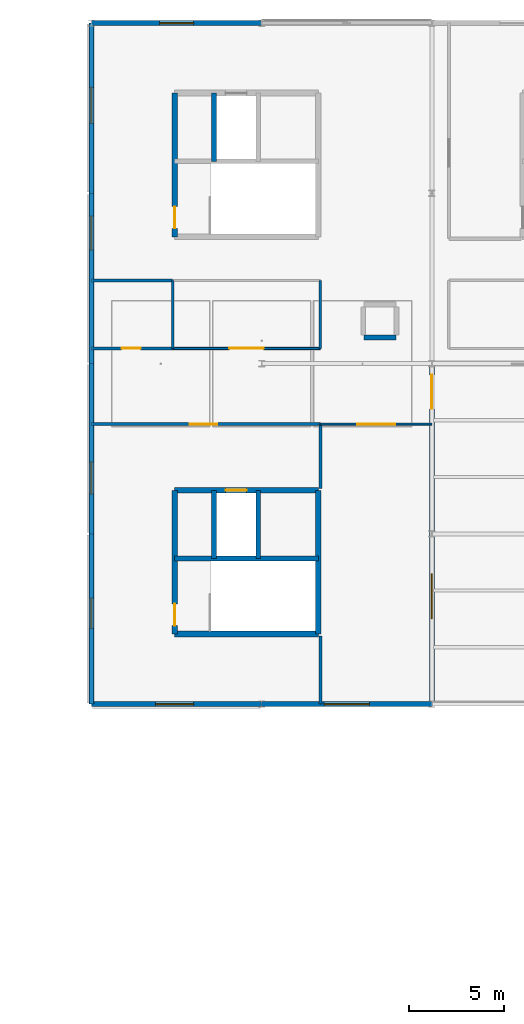
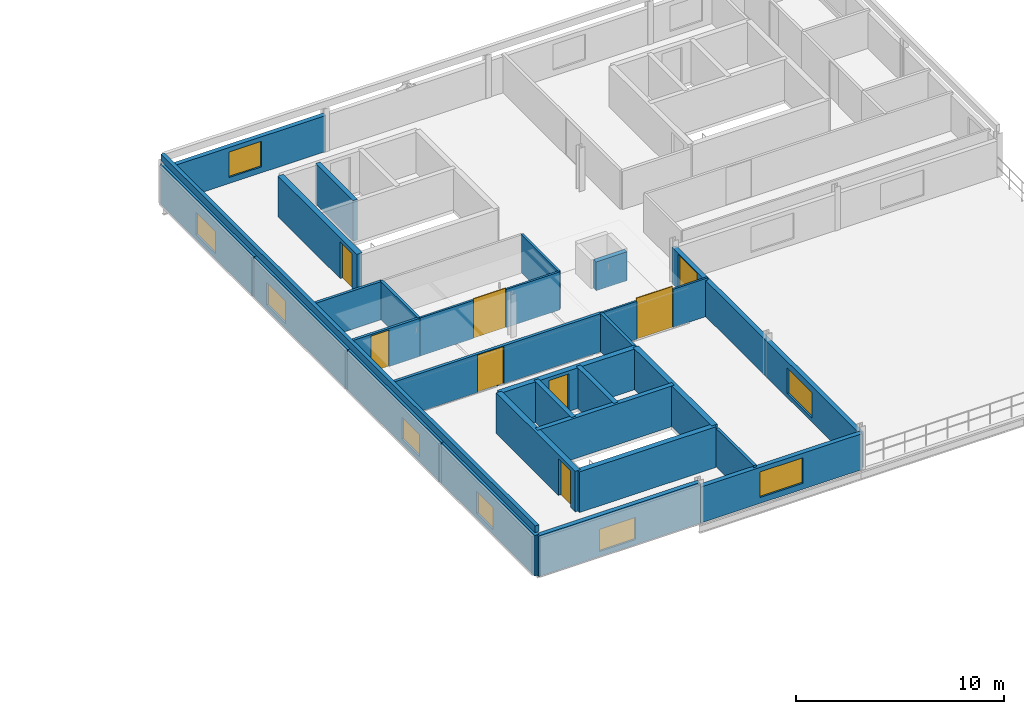
# One storey, part 12 of 16: 28 walls, 8 doors, 8 windows, 16 openings.
"""IFC4 building model written with IfcOpenShell, lengths in metres."""

from ifc_helpers import new_model, si_unit, direction, frame, frame_2d, origin, place, context, subcontext, project, spatial, rectangle, extrude, material, layer, layer_set, type_object, element, fill, save


model = new_model("IFC4")

# Units and contexts
model_context = context("Model", 3, precision=1e-05, world=origin(), true_north=direction((0.0, 1.0)))
body_context = subcontext(model_context, "Body", "Model", "MODEL_VIEW")
ifc_project = project(units=[si_unit("LENGTHUNIT", "METRE"), si_unit("AREAUNIT", "SQUARE_METRE"), si_unit("VOLUMEUNIT", "CUBIC_METRE"), si_unit("PLANEANGLEUNIT", "RADIAN"), si_unit("MASSUNIT", "GRAM", prefix="KILO"), si_unit("THERMODYNAMICTEMPERATUREUNIT", "KELVIN"), si_unit("POWERUNIT", "WATT")], contexts=[model_context])

# Site, building, storey
site_placement = place(None, origin())
site = spatial("IfcSite", under=ifc_project, at=site_placement, CompositionType="ELEMENT")
building_placement = place(site_placement, origin())
building = spatial("IfcBuilding", under=site, at=building_placement, Name="Tallowbark Science Centre", CompositionType="ELEMENT")
storey_placement = place(building_placement, frame((0.0, 0.0, 23.39990234375)))
storey = spatial("IfcBuildingStorey", under=building, at=storey_placement, Name="L05", CompositionType="ELEMENT", Elevation=23.39990234375)

# Wall
ifc_material_1 = material(Name="Precast Concrete Acoustic Parapet Grade N40 (40 MPa)", Category="concrete")
ifc_layer_1 = layer(ifc_material_1, 0.205078125)
ifc_layer_set_1 = layer_set([ifc_layer_1], Name="Precast Concrete Acoustic Parapet Grade N40 (40 MPa)")
wall_type_1 = type_object("IfcWallType", Name="EWL-PAR-205", PredefinedType="PARAPET", material=ifc_layer_set_1)
wall_1_placement = place(storey_placement, frame((112.5, 72.0, 2.550048828125), z_axis=(0.0, 0.0, 1.0), x_axis=(0.0, 1.0, 0.0)))
element("IfcWall", 1, at=wall_1_placement, inside=storey, type_object=wall_type_1, Name="Roof Parapet PAR-OBS-W", PredefinedType="PARAPET", context=body_context, shape_type="SweptSolid", body=[
    extrude(rectangle(XDim=36.0, YDim=0.205078125, at=frame_2d((18.0, 0.0))), origin(), (0.0, 0.0, 1.0), 0.400146484375),
])

# Wall, opening, window
ifc_material_2 = material(Name="Insulated Precast Concrete Panel Grade N40 (40 MPa)", Category="concrete")
ifc_layer_2 = layer(ifc_material_2, 0.25)
ifc_layer_set_2 = layer_set([ifc_layer_2], Name="Insulated Precast Concrete Panel Grade N40 (40 MPa)")
wall_type_2 = type_object("IfcWallType", Name="EWL-PRC-250", PredefinedType="STANDARD", material=ifc_layer_set_2)
wall_2_placement = place(storey_placement, frame((112.5, 72.0, 0.0), z_axis=(0.0, 0.0, 1.0), x_axis=(1.0, 0.0, 0.0)))
wall_2 = element("IfcWall", 2, at=wall_2_placement, inside=storey, type_object=wall_type_2, Name="Exterior Wall OBS5-S-W1", PredefinedType="STANDARD", context=body_context, shape_type="SweptSolid", body=[
    extrude(rectangle(XDim=9.0, YDim=0.25, at=frame_2d((4.5, 0.0))), origin(), (0.0, 0.0, 1.0), 2.39013671875),
])
opening_1_placement = place(wall_2_placement, frame((3.39990234375, 0.0, 0.300048828125)))
opening_1 = element("IfcOpeningElement", 3, at=opening_1_placement, cuts=wall_2, Name="Opening WS-18", PredefinedType="OPENING", context=body_context, shape_type="SweptSolid", body=[
    extrude(rectangle(XDim=2.0, YDim=1.300048828125, at=frame_2d((1.0, 0.64990234375))), frame((0.0, 0.135009765625, 0.0), z_axis=(0.0, -1.0, 0.0), x_axis=(1.0, 0.0, 0.0)), (0.0, 0.0, 1.0), 0.27001953125),
])
ifc_material_3 = material(Name="Thermally Broken Aluminium and Low-E Double Glazing", Category="aluminium")
window_type_1 = type_object("IfcWindowType", Name="WIN-SP-200x130", PartitioningType="SINGLE_PANEL", PredefinedType="WINDOW", material=ifc_material_3)
window_1_placement = place(opening_1_placement, origin())
window_1 = element("IfcWindow", 4, at=window_1_placement, inside=storey, type_object=window_type_1, Name="Acoustic Window WSP-18", OverallHeight=1.300048828125, OverallWidth=2.0, PartitioningType="SINGLE_PANEL", PredefinedType="WINDOW", context=body_context, shape_type="SweptSolid", body=[
    extrude(rectangle(XDim=2.0, YDim=1.300048828125, at=frame_2d((1.0, 0.64990234375))), frame((0.0, 0.030029296875, 0.0), z_axis=(0.0, -1.0, 0.0), x_axis=(1.0, 0.0, 0.0)), (0.0, 0.0, 1.0), 0.06005859375),
])
fill(opening_1, window_1)

wall_3_placement = place(storey_placement, frame((121.5, 72.0, 0.0), z_axis=(0.0, 0.0, 1.0), x_axis=(1.0, 0.0, 0.0)))
wall_3 = element("IfcWall", 5, at=wall_3_placement, inside=storey, type_object=wall_type_2, Name="Exterior Wall OBS5-S-W2", PredefinedType="STANDARD", context=body_context, shape_type="SweptSolid", body=[
    extrude(rectangle(XDim=9.0, YDim=0.25, at=frame_2d((4.5, 0.0))), origin(), (0.0, 0.0, 1.0), 2.114013671875),
])
opening_2_placement = place(wall_3_placement, frame((3.300048828125, 0.0, 0.35009765625)))
opening_2 = element("IfcOpeningElement", 6, at=opening_2_placement, cuts=wall_3, Name="Opening W-10", PredefinedType="OPENING", context=body_context, shape_type="SweptSolid", body=[
    extrude(rectangle(XDim=2.39990234375, YDim=1.5, at=frame_2d((1.199951171875, 0.75))), frame((0.0, 0.135009765625, 0.0), z_axis=(0.0, -1.0, 0.0), x_axis=(1.0, 0.0, 0.0)), (0.0, 0.0, 1.0), 0.27001953125),
])
window_type_2 = type_object("IfcWindowType", Name="WIN-F240x150", PartitioningType="SINGLE_PANEL", PredefinedType="WINDOW", material=ifc_material_3)
window_2_placement = place(opening_2_placement, origin())
window_2 = element("IfcWindow", 7, at=window_2_placement, inside=storey, type_object=window_type_2, Name="Window WIN-L05-0050", OverallHeight=1.5, OverallWidth=2.39990234375, PartitioningType="SINGLE_PANEL", PredefinedType="WINDOW", context=body_context, shape_type="SweptSolid", body=[
    extrude(rectangle(XDim=2.39990234375, YDim=1.5, at=frame_2d((1.199951171875, 0.75))), frame((0.0, 0.030029296875, 0.0), z_axis=(0.0, -1.0, 0.0), x_axis=(1.0, 0.0, 0.0)), (0.0, 0.0, 1.0), 0.06005859375),
])
fill(opening_2, window_2)

# Wall, openings, door, window
wall_4_placement = place(storey_placement, frame((130.5, 72.0, 0.0), z_axis=(0.0, 0.0, 1.0), x_axis=(0.0, 1.0, 0.0)))
wall_4 = element("IfcWall", 8, at=wall_4_placement, inside=storey, type_object=wall_type_2, Name="Exterior Wall OBS5-TER-E", PredefinedType="STANDARD", context=body_context, shape_type="SweptSolid", body=[
    extrude(rectangle(XDim=18.0, YDim=0.25, at=frame_2d((9.0, 0.0))), origin(), (0.0, 0.0, 1.0), 2.114013671875),
])
opening_3_placement = place(wall_4_placement, frame((4.5, 0.0, 0.25)))
opening_3 = element("IfcOpeningElement", 9, at=opening_3_placement, cuts=wall_4, Name="Opening W-10", PredefinedType="OPENING", context=body_context, shape_type="SweptSolid", body=[
    extrude(rectangle(XDim=2.39990234375, YDim=1.5, at=frame_2d((1.199951171875, 0.75))), frame((0.0, 0.135009765625, 0.0), z_axis=(0.0, -1.0, 0.0), x_axis=(1.0, 0.0, 0.0)), (0.0, 0.0, 1.0), 0.27001953125),
])
opening_4_placement = place(wall_4_placement, frame((15.60009765625, 0.0, 0.0)))
opening_4 = element("IfcOpeningElement", 10, at=opening_4_placement, cuts=wall_4, Name="Opening ED-08", PredefinedType="OPENING", context=body_context, shape_type="SweptSolid", body=[
    extrude(rectangle(XDim=1.800048828125, YDim=2.050048828125, at=frame_2d((0.89990234375, 1.02490234375))), frame((0.0, 0.135009765625, 0.0), z_axis=(0.0, -1.0, 0.0), x_axis=(1.0, 0.0, 0.0)), (0.0, 0.0, 1.0), 0.27001953125),
])
ifc_material_4 = material(Name="Thermally Broken Glazed Aluminium Frame", Category="aluminium")
door_type_1 = type_object("IfcDoorType", Name="EDR-TER5-180", OperationType="DOUBLE_DOOR_SINGLE_SWING", PredefinedType="DOOR", material=ifc_material_4)
door_1_placement = place(opening_4_placement, origin())
door_1 = element("IfcDoor", 11, at=door_1_placement, inside=storey, type_object=door_type_1, Name="Exterior Door EDR-L05-037", OperationType="DOUBLE_DOOR_SINGLE_SWING", OverallHeight=2.050048828125, OverallWidth=1.800048828125, PredefinedType="DOOR", context=body_context, shape_type="SweptSolid", body=[
    extrude(rectangle(XDim=1.800048828125, YDim=2.050048828125, at=frame_2d((0.89990234375, 1.02490234375))), frame((0.0, 0.02490234375, 0.0), z_axis=(0.0, -1.0, 0.0), x_axis=(1.0, 0.0, 0.0)), (0.0, 0.0, 1.0), 0.050048828125),
])
fill(opening_4, door_1)
window_3_placement = place(opening_3_placement, origin())
window_3 = element("IfcWindow", 12, at=window_3_placement, inside=storey, type_object=window_type_2, Name="Window WIN-L05-0051", OverallHeight=1.5, OverallWidth=2.39990234375, PartitioningType="SINGLE_PANEL", PredefinedType="WINDOW", context=body_context, shape_type="SweptSolid", body=[
    extrude(rectangle(XDim=2.39990234375, YDim=1.5, at=frame_2d((1.199951171875, 0.75))), frame((0.0, 0.030029296875, 0.0), z_axis=(0.0, -1.0, 0.0), x_axis=(1.0, 0.0, 0.0)), (0.0, 0.0, 1.0), 0.06005859375),
])
fill(opening_3, window_3)

# Wall, opening, window
wall_5_placement = place(storey_placement, frame((121.5, 108.0, 0.0), z_axis=(0.0, 0.0, 1.0), x_axis=(-1.0, 0.0, 0.0)))
wall_5 = element("IfcWall", 13, at=wall_5_placement, inside=storey, type_object=wall_type_2, Name="Exterior Wall OBS5-N-112", PredefinedType="STANDARD", context=body_context, shape_type="SweptSolid", body=[
    extrude(rectangle(XDim=9.0, YDim=0.25, at=frame_2d((4.5, 0.0))), origin(), (0.0, 0.0, 1.0), 2.114013671875),
])
opening_5_placement = place(wall_5_placement, frame((3.60009765625, 0.0, 0.35009765625)))
opening_5 = element("IfcOpeningElement", 14, at=opening_5_placement, cuts=wall_5, Name="Opening W-09", PredefinedType="OPENING", context=body_context, shape_type="SweptSolid", body=[
    extrude(rectangle(XDim=1.800048828125, YDim=1.5, at=frame_2d((0.89990234375, 0.75))), frame((0.0, 0.135009765625, 0.0), z_axis=(0.0, -1.0, 0.0), x_axis=(1.0, 0.0, 0.0)), (0.0, 0.0, 1.0), 0.27001953125),
])
window_type_3 = type_object("IfcWindowType", Name="WIN-F180x150", PartitioningType="SINGLE_PANEL", PredefinedType="WINDOW", material=ifc_material_3)
window_4_placement = place(opening_5_placement, origin())
window_4 = element("IfcWindow", 15, at=window_4_placement, inside=storey, type_object=window_type_3, Name="Window WIN-L05-0055", OverallHeight=1.5, OverallWidth=1.800048828125, PartitioningType="SINGLE_PANEL", PredefinedType="WINDOW", context=body_context, shape_type="SweptSolid", body=[
    extrude(rectangle(XDim=1.800048828125, YDim=1.5, at=frame_2d((0.89990234375, 0.75))), frame((0.0, 0.030029296875, 0.0), z_axis=(0.0, -1.0, 0.0), x_axis=(1.0, 0.0, 0.0)), (0.0, 0.0, 1.0), 0.06005859375),
])
fill(opening_5, window_4)

wall_6_placement = place(storey_placement, frame((112.5, 81.0, 0.0), z_axis=(0.0, 0.0, 1.0), x_axis=(0.0, -1.0, 0.0)))
wall_6 = element("IfcWall", 16, at=wall_6_placement, inside=storey, type_object=wall_type_2, Name="Exterior Wall OBS5-W-72", PredefinedType="STANDARD", context=body_context, shape_type="SweptSolid", body=[
    extrude(rectangle(XDim=9.0, YDim=0.25, at=frame_2d((4.5, 0.0))), origin(), (0.0, 0.0, 1.0), 2.39013671875),
])
opening_6_placement = place(wall_6_placement, frame((3.39990234375, 0.0, 0.300048828125)))
opening_6 = element("IfcOpeningElement", 17, at=opening_6_placement, cuts=wall_6, Name="Opening WS-14", PredefinedType="OPENING", context=body_context, shape_type="SweptSolid", body=[
    extrude(rectangle(XDim=1.60009765625, YDim=1.300048828125, at=frame_2d((0.800048828125, 0.64990234375))), frame((0.0, 0.135009765625, 0.0), z_axis=(0.0, -1.0, 0.0), x_axis=(1.0, 0.0, 0.0)), (0.0, 0.0, 1.0), 0.27001953125),
])
window_type_4 = type_object("IfcWindowType", Name="WIN-SP-160x130", PartitioningType="SINGLE_PANEL", PredefinedType="WINDOW", material=ifc_material_3)
window_5_placement = place(opening_6_placement, origin())
window_5 = element("IfcWindow", 18, at=window_5_placement, inside=storey, type_object=window_type_4, Name="Acoustic Window WSP-14", OverallHeight=1.300048828125, OverallWidth=1.60009765625, PartitioningType="SINGLE_PANEL", PredefinedType="WINDOW", context=body_context, shape_type="SweptSolid", body=[
    extrude(rectangle(XDim=1.60009765625, YDim=1.300048828125, at=frame_2d((0.800048828125, 0.64990234375))), frame((0.0, 0.030029296875, 0.0), z_axis=(0.0, -1.0, 0.0), x_axis=(1.0, 0.0, 0.0)), (0.0, 0.0, 1.0), 0.06005859375),
])
fill(opening_6, window_5)

wall_7_placement = place(storey_placement, frame((112.5, 90.0, 0.0), z_axis=(0.0, 0.0, 1.0), x_axis=(0.0, -1.0, 0.0)))
wall_7 = element("IfcWall", 19, at=wall_7_placement, inside=storey, type_object=wall_type_2, Name="Exterior Wall OBS5-W-81", PredefinedType="STANDARD", context=body_context, shape_type="SweptSolid", body=[
    extrude(rectangle(XDim=9.0, YDim=0.25, at=frame_2d((4.5, 0.0))), origin(), (0.0, 0.0, 1.0), 2.39013671875),
])
opening_7_placement = place(wall_7_placement, frame((5.199951171875, 0.0, 0.300048828125)))
opening_7 = element("IfcOpeningElement", 20, at=opening_7_placement, cuts=wall_7, Name="Opening WS-15", PredefinedType="OPENING", context=body_context, shape_type="SweptSolid", body=[
    extrude(rectangle(XDim=1.699951171875, YDim=1.300048828125, at=frame_2d((0.85009765625, 0.64990234375))), frame((0.0, 0.135009765625, 0.0), z_axis=(0.0, -1.0, 0.0), x_axis=(1.0, 0.0, 0.0)), (0.0, 0.0, 1.0), 0.27001953125),
])
window_type_5 = type_object("IfcWindowType", Name="WIN-SP-170x130", PartitioningType="SINGLE_PANEL", PredefinedType="WINDOW", material=ifc_material_3)
window_6_placement = place(opening_7_placement, origin())
window_6 = element("IfcWindow", 21, at=window_6_placement, inside=storey, type_object=window_type_5, Name="Acoustic Window WSP-15", OverallHeight=1.300048828125, OverallWidth=1.699951171875, PartitioningType="SINGLE_PANEL", PredefinedType="WINDOW", context=body_context, shape_type="SweptSolid", body=[
    extrude(rectangle(XDim=1.699951171875, YDim=1.300048828125, at=frame_2d((0.85009765625, 0.64990234375))), frame((0.0, 0.030029296875, 0.0), z_axis=(0.0, -1.0, 0.0), x_axis=(1.0, 0.0, 0.0)), (0.0, 0.0, 1.0), 0.06005859375),
])
fill(opening_7, window_6)

wall_8_placement = place(storey_placement, frame((112.5, 99.0, 0.0), z_axis=(0.0, 0.0, 1.0), x_axis=(0.0, -1.0, 0.0)))
wall_8 = element("IfcWall", 22, at=wall_8_placement, inside=storey, type_object=wall_type_2, Name="Exterior Wall OBS5-W-90", PredefinedType="STANDARD", context=body_context, shape_type="SweptSolid", body=[
    extrude(rectangle(XDim=9.0, YDim=0.25, at=frame_2d((4.5, 0.0))), origin(), (0.0, 0.0, 1.0), 2.39013671875),
])
opening_8_placement = place(wall_8_placement, frame((1.199951171875, 0.0, 0.300048828125)))
opening_8 = element("IfcOpeningElement", 23, at=opening_8_placement, cuts=wall_8, Name="Opening WS-16", PredefinedType="OPENING", context=body_context, shape_type="SweptSolid", body=[
    extrude(rectangle(XDim=1.800048828125, YDim=1.300048828125, at=frame_2d((0.89990234375, 0.64990234375))), frame((0.0, 0.135009765625, 0.0), z_axis=(0.0, -1.0, 0.0), x_axis=(1.0, 0.0, 0.0)), (0.0, 0.0, 1.0), 0.27001953125),
])
window_type_6 = type_object("IfcWindowType", Name="WIN-SP-180x130", PartitioningType="SINGLE_PANEL", PredefinedType="WINDOW", material=ifc_material_3)
window_7_placement = place(opening_8_placement, origin())
window_7 = element("IfcWindow", 24, at=window_7_placement, inside=storey, type_object=window_type_6, Name="Acoustic Window WSP-16", OverallHeight=1.300048828125, OverallWidth=1.800048828125, PartitioningType="SINGLE_PANEL", PredefinedType="WINDOW", context=body_context, shape_type="SweptSolid", body=[
    extrude(rectangle(XDim=1.800048828125, YDim=1.300048828125, at=frame_2d((0.89990234375, 0.64990234375))), frame((0.0, 0.030029296875, 0.0), z_axis=(0.0, -1.0, 0.0), x_axis=(1.0, 0.0, 0.0)), (0.0, 0.0, 1.0), 0.06005859375),
])
fill(opening_8, window_7)

wall_9_placement = place(storey_placement, frame((112.5, 108.0, 0.0), z_axis=(0.0, 0.0, 1.0), x_axis=(0.0, -1.0, 0.0)))
wall_9 = element("IfcWall", 25, at=wall_9_placement, inside=storey, type_object=wall_type_2, Name="Exterior Wall OBS5-W-99", PredefinedType="STANDARD", context=body_context, shape_type="SweptSolid", body=[
    extrude(rectangle(XDim=9.0, YDim=0.25, at=frame_2d((4.5, 0.0))), origin(), (0.0, 0.0, 1.0), 2.39013671875),
])
opening_9_placement = place(wall_9_placement, frame((3.39990234375, 0.0, 0.300048828125)))
opening_9 = element("IfcOpeningElement", 26, at=opening_9_placement, cuts=wall_9, Name="Opening WS-17", PredefinedType="OPENING", context=body_context, shape_type="SweptSolid", body=[
    extrude(rectangle(XDim=1.89990234375, YDim=1.300048828125, at=frame_2d((0.949951171875, 0.64990234375))), frame((0.0, 0.135009765625, 0.0), z_axis=(0.0, -1.0, 0.0), x_axis=(1.0, 0.0, 0.0)), (0.0, 0.0, 1.0), 0.27001953125),
])
window_type_7 = type_object("IfcWindowType", Name="WIN-SP-190x130", PartitioningType="SINGLE_PANEL", PredefinedType="WINDOW", material=ifc_material_3)
window_8_placement = place(opening_9_placement, origin())
window_8 = element("IfcWindow", 27, at=window_8_placement, inside=storey, type_object=window_type_7, Name="Acoustic Window WSP-17", OverallHeight=1.300048828125, OverallWidth=1.89990234375, PartitioningType="SINGLE_PANEL", PredefinedType="WINDOW", context=body_context, shape_type="SweptSolid", body=[
    extrude(rectangle(XDim=1.89990234375, YDim=1.300048828125, at=frame_2d((0.949951171875, 0.64990234375))), frame((0.0, 0.030029296875, 0.0), z_axis=(0.0, -1.0, 0.0), x_axis=(1.0, 0.0, 0.0)), (0.0, 0.0, 1.0), 0.06005859375),
])
fill(opening_9, window_8)

# Wall, opening, door
ifc_material_5 = material(Name="116 mm Acoustic Steel Stud and 16 mm Fire-Rated Plasterboard", Category="steel")
ifc_layer_3 = layer(ifc_material_5, 0.115966796875)
ifc_layer_set_3 = layer_set([ifc_layer_3], Name="116 mm Acoustic Steel Stud and 16 mm Fire-Rated Plasterboard")
wall_type_3 = type_object("IfcWallType", Name="PTW-116", PredefinedType="PARTITIONING", material=ifc_layer_set_3)
wall_10_placement = place(storey_placement, frame((116.800048828125, 90.800048828125, 0.0), z_axis=(0.0, 0.0, 1.0), x_axis=(1.0, 0.0, 0.0)))
wall_10 = element("IfcWall", 28, at=wall_10_placement, inside=storey, type_object=wall_type_3, Name="Interior Partition PTW-L05-0322", PredefinedType="PARTITIONING", context=body_context, shape_type="SweptSolid", body=[
    extrude(rectangle(XDim=7.800048828125, YDim=0.115966796875, at=frame_2d((3.89990234375, 0.0))), origin(), (0.0, 0.0, 1.0), 2.239990234375),
])
opening_10_placement = place(wall_10_placement, frame((3.0, 0.0, 0.0)))
opening_10 = element("IfcOpeningElement", 29, at=opening_10_placement, cuts=wall_10, Name="Opening ID-03", PredefinedType="OPENING", context=body_context, shape_type="SweptSolid", body=[
    extrude(rectangle(XDim=1.800048828125, YDim=2.300048828125, at=frame_2d((0.89990234375, 1.14990234375))), frame((0.0, 0.06787109375, 0.0), z_axis=(0.0, -1.0, 0.0), x_axis=(1.0, 0.0, 0.0)), (0.0, 0.0, 1.0), 0.135986328125),
])
ifc_material_6 = material(Name="Acoustic Sound-Lock Theatre Pair")
door_type_2 = type_object("IfcDoorType", Name="IDR-AUD-180", OperationType="DOUBLE_DOOR_SINGLE_SWING", PredefinedType="DOOR", material=ifc_material_6)
door_2_placement = place(opening_10_placement, origin())
door_2 = element("IfcDoor", 30, at=door_2_placement, inside=storey, type_object=door_type_2, Name="Interior Door IDR-L05-0144", OperationType="DOUBLE_DOOR_SINGLE_SWING", OverallHeight=2.300048828125, OverallWidth=1.800048828125, PredefinedType="DOOR", context=body_context, shape_type="SweptSolid", body=[
    extrude(rectangle(XDim=1.800048828125, YDim=2.300048828125, at=frame_2d((0.89990234375, 1.14990234375))), frame((0.0, 0.02490234375, 0.0), z_axis=(0.0, -1.0, 0.0), x_axis=(1.0, 0.0, 0.0)), (0.0, 0.0, 1.0), 0.050048828125),
])
fill(opening_10, door_2)

# Wall
wall_11_placement = place(storey_placement, frame((124.60009765625, 90.800048828125, 0.0), z_axis=(0.0, 0.0, 1.0), x_axis=(0.0, 1.0, 0.0)))
element("IfcWall", 31, at=wall_11_placement, inside=storey, type_object=wall_type_3, Name="Interior Partition PTW-L05-0324", PredefinedType="PARTITIONING", context=body_context, shape_type="SweptSolid", body=[
    extrude(rectangle(XDim=3.599853515625, YDim=0.115966796875, at=frame_2d((1.7998046875, 0.0))), origin(), (0.0, 0.0, 1.0), 2.239990234375),
])

# Wall, opening, door
ifc_material_7 = material(Name="150 mm Wet-Area Moisture-Resistant Partition")
ifc_layer_4 = layer(ifc_material_7, 0.14990234375)
ifc_layer_set_4 = layer_set([ifc_layer_4], Name="150 mm Wet-Area Moisture-Resistant Partition")
wall_type_4 = type_object("IfcWallType", Name="PTW-150", PredefinedType="PARTITIONING", material=ifc_layer_set_4)
wall_12_placement = place(storey_placement, frame((112.5, 90.800048828125, 0.0), z_axis=(0.0, 0.0, 1.0), x_axis=(1.0, 0.0, 0.0)))
wall_12 = element("IfcWall", 32, at=wall_12_placement, inside=storey, type_object=wall_type_4, Name="Interior Partition PTW-L05-0319", PredefinedType="PARTITIONING", context=body_context, shape_type="SweptSolid", body=[
    extrude(rectangle(XDim=4.300048828125, YDim=0.14990234375, at=frame_2d((2.14990234375, 0.0))), origin(), (0.0, 0.0, 1.0), 2.239990234375),
])
opening_11_placement = place(wall_12_placement, frame((1.60009765625, 0.0, 0.0)))
opening_11 = element("IfcOpeningElement", 33, at=opening_11_placement, cuts=wall_12, Name="Opening ID-06", PredefinedType="OPENING", context=body_context, shape_type="SweptSolid", body=[
    extrude(rectangle(XDim=1.0, YDim=2.14990234375, at=frame_2d((0.5, 1.074951171875))), frame((0.0, 0.0849609375, 0.0), z_axis=(0.0, -1.0, 0.0), x_axis=(1.0, 0.0, 0.0)), (0.0, 0.0, 1.0), 0.169921875),
])
ifc_material_8 = material(Name="Accessible Cavity Sliding Leaf")
door_type_3 = type_object("IfcDoorType", Name="IDR-AWC-100", OperationType="SLIDING_TO_LEFT", PredefinedType="DOOR", material=ifc_material_8)
door_3_placement = place(opening_11_placement, origin())
door_3 = element("IfcDoor", 34, at=door_3_placement, inside=storey, type_object=door_type_3, Name="Interior Door IDR-L05-0143", OperationType="SLIDING_TO_LEFT", OverallHeight=2.14990234375, OverallWidth=1.0, PredefinedType="DOOR", context=body_context, shape_type="SweptSolid", body=[
    extrude(rectangle(XDim=1.0, YDim=2.14990234375, at=frame_2d((0.5, 1.074951171875))), frame((0.0, 0.02490234375, 0.0), z_axis=(0.0, -1.0, 0.0), x_axis=(1.0, 0.0, 0.0)), (0.0, 0.0, 1.0), 0.050048828125),
])
fill(opening_11, door_3)

# Walls
wall_13_placement = place(storey_placement, frame((112.5, 94.39990234375, 0.0), z_axis=(0.0, 0.0, 1.0), x_axis=(1.0, 0.0, 0.0)))
element("IfcWall", 35, at=wall_13_placement, inside=storey, type_object=wall_type_4, Name="Interior Partition PTW-L05-0320", PredefinedType="PARTITIONING", context=body_context, shape_type="SweptSolid", body=[
    extrude(rectangle(XDim=4.300048828125, YDim=0.14990234375, at=frame_2d((2.14990234375, 0.0))), origin(), (0.0, 0.0, 1.0), 2.239990234375),
])
wall_14_placement = place(storey_placement, frame((116.800048828125, 90.800048828125, 0.0), z_axis=(0.0, 0.0, 1.0), x_axis=(0.0, 1.0, 0.0)))
element("IfcWall", 36, at=wall_14_placement, inside=storey, type_object=wall_type_4, Name="Interior Partition PTW-L05-0321", PredefinedType="PARTITIONING", context=body_context, shape_type="SweptSolid", body=[
    extrude(rectangle(XDim=3.599853515625, YDim=0.14990234375, at=frame_2d((1.7998046875, 0.0))), origin(), (0.0, 0.0, 1.0), 2.239990234375),
])

# Wall, opening, door
ifc_material_9 = material(Name="162 mm Double-Stud Fire-Rated Corridor Partition")
ifc_layer_5 = layer(ifc_material_9, 0.162109375)
ifc_layer_set_5 = layer_set([ifc_layer_5], Name="162 mm Double-Stud Fire-Rated Corridor Partition")
wall_type_5 = type_object("IfcWallType", Name="PTW-162", PredefinedType="PARTITIONING", material=ifc_layer_set_5)
wall_15_placement = place(storey_placement, frame((112.5, 86.800048828125, 0.0), z_axis=(0.0, 0.0, 1.0), x_axis=(1.0, 0.0, 0.0)))
wall_15 = element("IfcWall", 37, at=wall_15_placement, inside=storey, type_object=wall_type_5, Name="Interior Partition PTW-L05-0050", PredefinedType="PARTITIONING", context=body_context, shape_type="SweptSolid", body=[
    extrude(rectangle(XDim=12.10009765625, YDim=0.162109375, at=frame_2d((6.050048828125, 0.0))), origin(), (0.0, 0.0, 1.0), 2.239990234375),
])
opening_12_placement = place(wall_15_placement, frame((5.199951171875, 0.0, 0.0)))
opening_12 = element("IfcOpeningElement", 38, at=opening_12_placement, cuts=wall_15, Name="Opening DS-13", PredefinedType="OPENING", context=body_context, shape_type="SweptSolid", body=[
    extrude(rectangle(XDim=1.449951171875, YDim=2.199951171875, at=frame_2d((0.72509765625, 1.10009765625))), frame((0.0, 0.091064453125, 0.0), z_axis=(0.0, -1.0, 0.0), x_axis=(1.0, 0.0, 0.0)), (0.0, 0.0, 1.0), 0.18212890625),
])
ifc_material_10 = material(Name="Fire-Rated Glazed Steel Pair", Category="steel")
door_type_4 = type_object("IfcDoorType", Name="FDR-LOB-145-S13", OperationType="DOUBLE_DOOR_SINGLE_SWING", PredefinedType="DOOR", material=ifc_material_10)
door_4_placement = place(opening_12_placement, origin())
door_4 = element("IfcDoor", 39, at=door_4_placement, inside=storey, type_object=door_type_4, Name="Interior Door IDR-L05-0013", OperationType="DOUBLE_DOOR_SINGLE_SWING", OverallHeight=2.199951171875, OverallWidth=1.449951171875, PredefinedType="DOOR", context=body_context, shape_type="SweptSolid", body=[
    extrude(rectangle(XDim=1.449951171875, YDim=2.199951171875, at=frame_2d((0.72509765625, 1.10009765625))), frame((0.0, 0.02490234375, 0.0), z_axis=(0.0, -1.0, 0.0), x_axis=(1.0, 0.0, 0.0)), (0.0, 0.0, 1.0), 0.050048828125),
])
fill(opening_12, door_4)

# Walls
wall_16_placement = place(storey_placement, frame((124.60009765625, 83.39990234375, 0.0), z_axis=(0.0, 0.0, 1.0), x_axis=(0.0, 1.0, 0.0)))
element("IfcWall", 40, at=wall_16_placement, inside=storey, type_object=wall_type_5, Name="Interior Partition PTW-L05-0051", PredefinedType="PARTITIONING", context=body_context, shape_type="SweptSolid", body=[
    extrude(rectangle(XDim=3.400146484375, YDim=0.162109375, at=frame_2d((1.7001953125, 0.0))), origin(), (0.0, 0.0, 1.0), 2.239990234375),
])
wall_17_placement = place(storey_placement, frame((124.60009765625, 72.0, 0.0), z_axis=(0.0, 0.0, 1.0), x_axis=(0.0, 1.0, 0.0)))
element("IfcWall", 41, at=wall_17_placement, inside=storey, type_object=wall_type_5, Name="Interior Partition PTW-L05-0052", PredefinedType="PARTITIONING", context=body_context, shape_type="SweptSolid", body=[
    extrude(rectangle(XDim=3.60009765625, YDim=0.162109375, at=frame_2d((1.800048828125, 0.0))), origin(), (0.0, 0.0, 1.0), 2.239990234375),
])

# Wall, opening, door
ifc_material_11 = material(Name="108 mm Acoustic Double-Glazed Laboratory Partition")
ifc_layer_6 = layer(ifc_material_11, 0.10791015625)
ifc_layer_set_6 = layer_set([ifc_layer_6], Name="108 mm Acoustic Double-Glazed Laboratory Partition")
wall_type_6 = type_object("IfcWallType", Name="PTW-GLZ-108", PredefinedType="PARTITIONING", material=ifc_layer_set_6)
wall_18_placement = place(storey_placement, frame((124.60009765625, 86.800048828125, 0.0), z_axis=(0.0, 0.0, 1.0), x_axis=(1.0, 0.0, 0.0)))
wall_18 = element("IfcWall", 42, at=wall_18_placement, inside=storey, type_object=wall_type_6, Name="Interior Partition PTW-L05-0310", PredefinedType="PARTITIONING", context=body_context, shape_type="SweptSolid", body=[
    extrude(rectangle(XDim=5.89990234375, YDim=0.10791015625, at=frame_2d((2.949951171875, 0.0))), origin(), (0.0, 0.0, 1.0), 2.239990234375),
])
opening_13_placement = place(wall_18_placement, frame((1.949951171875, 0.0, 0.0)))
opening_13 = element("IfcOpeningElement", 43, at=opening_13_placement, cuts=wall_18, Name="Opening ID-02", PredefinedType="OPENING", context=body_context, shape_type="SweptSolid", body=[
    extrude(rectangle(XDim=2.0, YDim=2.39990234375, at=frame_2d((1.0, 1.199951171875))), frame((0.0, 0.06396484375, 0.0), z_axis=(0.0, -1.0, 0.0), x_axis=(1.0, 0.0, 0.0)), (0.0, 0.0, 1.0), 0.1279296875),
])
ifc_material_12 = material(Name="Spotted Gum Acoustic Gallery Pair", Category="wood")
door_type_5 = type_object("IfcDoorType", Name="IDR-GAL-200", OperationType="DOUBLE_DOOR_DOUBLE_SWING", PredefinedType="DOOR", material=ifc_material_12)
door_5_placement = place(opening_13_placement, origin())
door_5 = element("IfcDoor", 44, at=door_5_placement, inside=storey, type_object=door_type_5, Name="Interior Door IDR-L05-0139", OperationType="DOUBLE_DOOR_DOUBLE_SWING", OverallHeight=2.39990234375, OverallWidth=2.0, PredefinedType="DOOR", context=body_context, shape_type="SweptSolid", body=[
    extrude(rectangle(XDim=2.0, YDim=2.39990234375, at=frame_2d((1.0, 1.199951171875))), frame((0.0, 0.02490234375, 0.0), z_axis=(0.0, -1.0, 0.0), x_axis=(1.0, 0.0, 0.0)), (0.0, 0.0, 1.0), 0.050048828125),
])
fill(opening_13, door_5)

ifc_material_13 = material(Name="Concrete Grade N40 (40 MPa)", Category="concrete")
ifc_layer_7 = layer(ifc_material_13, 0.300048828125)
ifc_layer_set_7 = layer_set([ifc_layer_7], Name="Concrete Grade N40 (40 MPa)")
wall_type_7 = type_object("IfcWallType", Name="WL-CORE-300", PredefinedType="SHEAR", material=ifc_layer_set_7)
wall_19_placement = place(storey_placement, frame((116.89990234375, 75.699951171875, 0.0), z_axis=(0.0, 0.0, 1.0), x_axis=(0.0, 1.0, 0.0)))
wall_19 = element("IfcWall", 45, at=wall_19_placement, inside=storey, type_object=wall_type_7, Name="Core C2 Shear Wall L05 W", PredefinedType="SHEAR", context=body_context, shape_type="SweptSolid", body=[
    extrude(rectangle(XDim=7.60009765625, YDim=0.300048828125, at=frame_2d((3.800048828125, 0.0))), origin(), (0.0, 0.0, 1.0), 2.39013671875),
])
opening_14_placement = place(wall_19_placement, frame((0.449951171875, 0.0, 0.0)))
opening_14 = element("IfcOpeningElement", 46, at=opening_14_placement, cuts=wall_19, Name="Opening FD-01", PredefinedType="OPENING", context=body_context, shape_type="SweptSolid", body=[
    extrude(rectangle(XDim=1.14990234375, YDim=2.14990234375, at=frame_2d((0.574951171875, 1.074951171875))), frame((0.0, 0.16015625, 0.0), z_axis=(0.0, -1.0, 0.0), x_axis=(1.0, 0.0, 0.0)), (0.0, 0.0, 1.0), 0.320068359375),
])
ifc_material_14 = material(Name="Fire-Rated Pressed Steel Frame and Solid Core Leaf", Category="steel")
door_type_6 = type_object("IfcDoorType", Name="FDR-STR-115", OperationType="NOTDEFINED", PredefinedType="DOOR", material=ifc_material_14)
door_6_placement = place(opening_14_placement, origin())
door_6 = element("IfcDoor", 47, at=door_6_placement, inside=storey, type_object=door_type_6, Name="Stair ST-02 Fire Door L05", OperationType="SINGLE_SWING_RIGHT", OverallHeight=2.14990234375, OverallWidth=1.14990234375, PredefinedType="DOOR", context=body_context, shape_type="SweptSolid", body=[
    extrude(rectangle(XDim=1.14990234375, YDim=2.14990234375, at=frame_2d((0.574951171875, 1.074951171875))), frame((0.0, 0.02490234375, 0.0), z_axis=(0.0, -1.0, 0.0), x_axis=(1.0, 0.0, 0.0)), (0.0, 0.0, 1.0), 0.050048828125),
])
fill(opening_14, door_6)

# Walls
for number, where, z_axis, x_axis, name in (
    (48, (124.5, 75.699951171875, 0.0), (0.0, 0.0, 1.0), (0.0, 1.0, 0.0), "Core C2 Shear Wall L05 E"),
    (49, (116.89990234375, 75.699951171875, 0.0), (0.0, 0.0, 1.0), (1.0, 0.0, 0.0), "Core C2 Shear Wall L05 S"),
):
    element("IfcWall", number, at=place(storey_placement, frame(where, z_axis=z_axis, x_axis=x_axis)), inside=storey, type_object=wall_type_7, Name=name, PredefinedType="SHEAR", context=body_context, shape_type="SweptSolid", body=[
        extrude(rectangle(XDim=7.60009765625, YDim=0.300048828125, at=frame_2d((3.800048828125, 0.0))), origin(), (0.0, 0.0, 1.0), 2.39013671875),
    ])

# Wall, opening, door
wall_20_placement = place(storey_placement, frame((116.89990234375, 83.300048828125, 0.0), z_axis=(0.0, 0.0, 1.0), x_axis=(1.0, 0.0, 0.0)))
wall_20 = element("IfcWall", 50, at=wall_20_placement, inside=storey, type_object=wall_type_7, Name="Core C2 Shear Wall L05 N", PredefinedType="SHEAR", context=body_context, shape_type="SweptSolid", body=[
    extrude(rectangle(XDim=7.60009765625, YDim=0.300048828125, at=frame_2d((3.800048828125, 0.0))), origin(), (0.0, 0.0, 1.0), 2.39013671875),
])
opening_15_placement = place(wall_20_placement, frame((2.699951171875, 0.0, 0.0)))
opening_15 = element("IfcOpeningElement", 51, at=opening_15_placement, cuts=wall_20, Name="Opening LD-01", PredefinedType="OPENING", context=body_context, shape_type="SweptSolid", body=[
    extrude(rectangle(XDim=1.10009765625, YDim=2.199951171875, at=frame_2d((0.550048828125, 1.10009765625))), frame((0.0, 0.16015625, 0.0), z_axis=(0.0, -1.0, 0.0), x_axis=(1.0, 0.0, 0.0)), (0.0, 0.0, 1.0), 0.320068359375),
])
ifc_material_15 = material(Name="Brushed Stainless Steel Centre-Parting Lift Landing Door", Category="steel")
door_type_7 = type_object("IfcDoorType", Name="LDR-LFT-110", OperationType="DOUBLE_DOOR_SLIDING", PredefinedType="DOOR", material=ifc_material_15)
door_7_placement = place(opening_15_placement, origin())
door_7 = element("IfcDoor", 52, at=door_7_placement, inside=storey, type_object=door_type_7, Name="Lift LF-02 Landing Door L05", OperationType="DOUBLE_DOOR_SLIDING", OverallHeight=2.199951171875, OverallWidth=1.10009765625, PredefinedType="DOOR", context=body_context, shape_type="SweptSolid", body=[
    extrude(rectangle(XDim=1.10009765625, YDim=2.199951171875, at=frame_2d((0.550048828125, 1.10009765625))), frame((0.0, 0.02490234375, 0.0), z_axis=(0.0, -1.0, 0.0), x_axis=(1.0, 0.0, 0.0)), (0.0, 0.0, 1.0), 0.050048828125),
])
fill(opening_15, door_7)

wall_21_placement = place(storey_placement, frame((116.89990234375, 96.699951171875, 0.0), z_axis=(0.0, 0.0, 1.0), x_axis=(0.0, 1.0, 0.0)))
wall_21 = element("IfcWall", 53, at=wall_21_placement, inside=storey, type_object=wall_type_7, Name="Core C5 Shear Wall L05 W", PredefinedType="SHEAR", context=body_context, shape_type="SweptSolid", body=[
    extrude(rectangle(XDim=7.60009765625, YDim=0.300048828125, at=frame_2d((3.800048828125, 0.0))), origin(), (0.0, 0.0, 1.0), 2.39013671875),
])
opening_16_placement = place(wall_21_placement, frame((0.449951171875, 0.0, 0.0)))
opening_16 = element("IfcOpeningElement", 54, at=opening_16_placement, cuts=wall_21, Name="Opening FD-01", PredefinedType="OPENING", context=body_context, shape_type="SweptSolid", body=[
    extrude(rectangle(XDim=1.14990234375, YDim=2.14990234375, at=frame_2d((0.574951171875, 1.074951171875))), frame((0.0, 0.16015625, 0.0), z_axis=(0.0, -1.0, 0.0), x_axis=(1.0, 0.0, 0.0)), (0.0, 0.0, 1.0), 0.320068359375),
])
door_8_placement = place(opening_16_placement, origin())
door_8 = element("IfcDoor", 55, at=door_8_placement, inside=storey, type_object=door_type_6, Name="Stair ST-05 Fire Door L05", OperationType="SINGLE_SWING_RIGHT", OverallHeight=2.14990234375, OverallWidth=1.14990234375, PredefinedType="DOOR", context=body_context, shape_type="SweptSolid", body=[
    extrude(rectangle(XDim=1.14990234375, YDim=2.14990234375, at=frame_2d((0.574951171875, 1.074951171875))), frame((0.0, 0.02490234375, 0.0), z_axis=(0.0, -1.0, 0.0), x_axis=(1.0, 0.0, 0.0)), (0.0, 0.0, 1.0), 0.050048828125),
])
fill(opening_16, door_8)

# Walls
ifc_layer_8 = layer(ifc_material_13, 0.25)
ifc_layer_set_8 = layer_set([ifc_layer_8], Name="Concrete Grade N40 (40 MPa)")
wall_type_8 = type_object("IfcWallType", Name="WL-SHAFT-250", PredefinedType="SHEAR", material=ifc_layer_set_8)
wall_22_placement = place(storey_placement, frame((116.89990234375, 79.695068359375, 0.0), z_axis=(0.0, 0.0, 1.0), x_axis=(1.0, 0.0, 0.0)))
element("IfcWall", 56, at=wall_22_placement, inside=storey, type_object=wall_type_8, Name="Core C2 Shear Wall L05 MID", PredefinedType="SHEAR", context=body_context, shape_type="SweptSolid", body=[
    extrude(rectangle(XDim=7.60009765625, YDim=0.25, at=frame_2d((3.800048828125, 0.0))), origin(), (0.0, 0.0, 1.0), 2.39013671875),
])
for number, where, z_axis, x_axis, name in (
    (57, (118.97509765625, 79.695068359375, 0.0), (0.0, 0.0, 1.0), (0.0, 1.0, 0.0), "Core C2 Shear Wall L05 LW"),
    (58, (121.324951171875, 79.695068359375, 0.0), (0.0, 0.0, 1.0), (0.0, 1.0, 0.0), "Core C2 Shear Wall L05 LE"),
    (59, (118.97509765625, 100.695068359375, 0.0), (0.0, 0.0, 1.0), (0.0, 1.0, 0.0), "Core C5 Shear Wall L05 LW"),
):
    element("IfcWall", number, at=place(storey_placement, frame(where, z_axis=z_axis, x_axis=x_axis)), inside=storey, type_object=wall_type_8, Name=name, PredefinedType="SHEAR", context=body_context, shape_type="SweptSolid", body=[
        extrude(rectangle(XDim=3.60498046875, YDim=0.25, at=frame_2d((1.802490234375, 0.0))), origin(), (0.0, 0.0, 1.0), 2.39013671875),
    ])
wall_23_placement = place(storey_placement, frame((126.89990234375, 91.375, 0.0), z_axis=(0.0, 0.0, 1.0), x_axis=(1.0, 0.0, 0.0)))
element("IfcWall", 60, at=wall_23_placement, inside=storey, type_object=wall_type_8, Name="Service Riser Shaft Wall RSR-OBS-5 L05 S", PredefinedType="SHEAR", context=body_context, shape_type="SweptSolid", body=[
    extrude(rectangle(XDim=1.7001953125, YDim=0.25, at=frame_2d((0.85009765625, 0.0))), origin(), (0.0, 0.0, 1.0), 1.7001953125),
])

save(model, "model.ifc")
